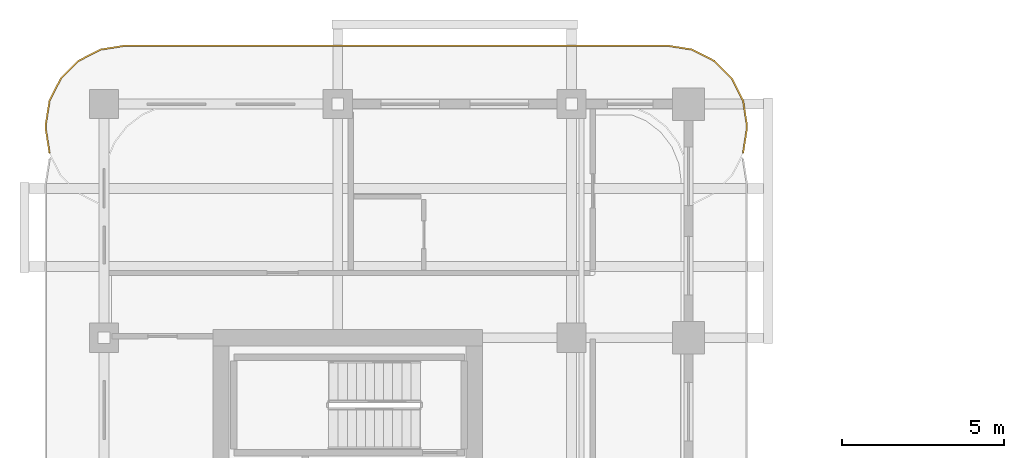
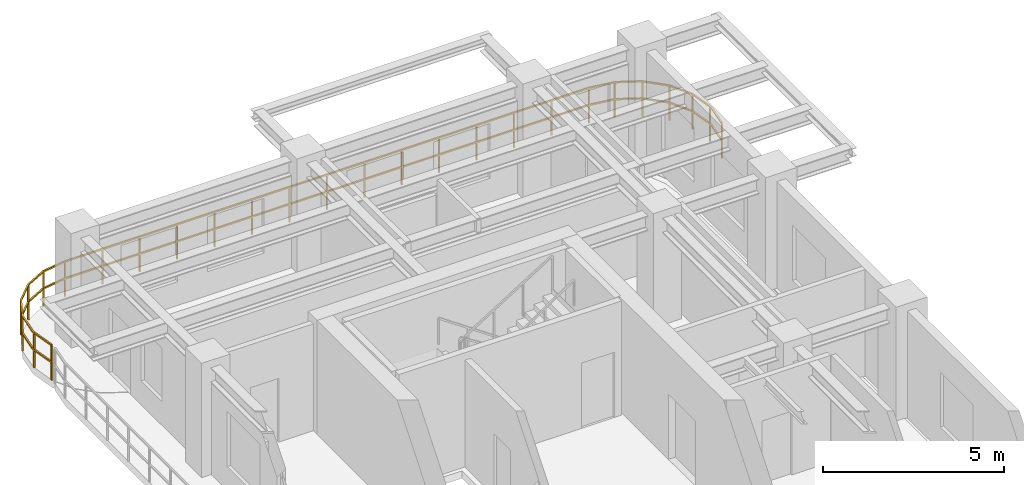
# One storey, part 14 of 14: 1 railing.
"""IFC4 building model written with IfcOpenShell, lengths in metres."""

from ifc_helpers import new_model, si_unit, derived_unit, direction, frame, origin, origin_2d, place, context, subcontext, project, spatial, rectangle, extrude, material, type_object, element, save


model = new_model("IFC4")

# Units and contexts
model_context = context("Model", 3, precision=1e-05, world=origin(), true_north=direction((0.0, 1.0)))
body_context = subcontext(model_context, "Body", "Model", "MODEL_VIEW")
ifc_project = project(units=[si_unit("LENGTHUNIT", "METRE"), si_unit("AREAUNIT", "SQUARE_METRE"), si_unit("VOLUMEUNIT", "CUBIC_METRE"), si_unit("PLANEANGLEUNIT", "RADIAN"), si_unit("MASSUNIT", "GRAM", prefix="KILO"), si_unit("THERMODYNAMICTEMPERATUREUNIT", "KELVIN"), si_unit("POWERUNIT", "WATT"), derived_unit("THERMALTRANSMITTANCEUNIT", [(si_unit("POWERUNIT", "WATT"), 1), (si_unit("AREAUNIT", "SQUARE_METRE"), -1), (si_unit("THERMODYNAMICTEMPERATUREUNIT", "KELVIN"), -1)])], contexts=[model_context])

# Site, building, storey
site_placement = place(None, origin())
site = spatial("IfcSite", under=ifc_project, at=site_placement, CompositionType="ELEMENT")
building_placement = place(site_placement, origin())
building = spatial("IfcBuilding", under=site, at=building_placement, Name="Zahravan Archway Hotel and Residences", CompositionType="ELEMENT")
storey_placement = place(building_placement, frame((0.0, 0.0, 205.75)))
storey = spatial("IfcBuildingStorey", under=building, at=storey_placement, Name="L51", CompositionType="ELEMENT", Elevation=205.75)

# Railing
ifc_material = material(Name="Bronze & Laminated Glass Balustrade", Category="glass")
railing_type = type_object("IfcRailingType", Name="RL-BAL-1200", PredefinedType="BALUSTRADE", material=ifc_material)
railing_placement = place(storey_placement, frame((-1.68017578125, 45.29296875, 0.0)))
element("IfcRailing", 1, at=railing_placement, inside=storey, type_object=railing_type, Name="L51 Balustrade RL-SLB-BAL-L51-NB-1", PredefinedType="BALUSTRADE", context=body_context, shape_type="SweptSolid", body=[
    extrude(rectangle(XDim=0.048095703125, YDim=0.048095703125, at=origin_2d()), frame((0.0, 0.0, 1.17578125), z_axis=(-0.156387811283, 0.987695728695, 0.0), x_axis=(-0.987695728695, -0.156387811283, 0.0)), (0.0, 0.0, 1.0), 0.7666015625),
    extrude(rectangle(XDim=0.048095703125, YDim=0.048095703125, at=origin_2d()), frame((0.0, 0.0, 0.60009765625), z_axis=(-0.156387811283, 0.987695728695, 0.0), x_axis=(-0.987695728695, -0.156387811283, 0.0)), (0.0, 0.0, 1.0), 0.7666015625),
    extrude(rectangle(XDim=0.048095703125, YDim=0.048095703125, at=origin_2d()), frame((-0.119873046875, 0.757080078125, 1.17578125), z_axis=(0.0, 1.0, 0.0), x_axis=(-1.0, 0.0, 0.0)), (0.0, 0.0, 1.0), 0.099853515625),
    extrude(rectangle(XDim=0.048095703125, YDim=0.048095703125, at=origin_2d()), frame((-0.119873046875, 0.757080078125, 0.60009765625), z_axis=(0.0, 1.0, 0.0), x_axis=(-1.0, 0.0, 0.0)), (0.0, 0.0, 1.0), 0.099853515625),
    extrude(rectangle(XDim=0.048095703125, YDim=0.048095703125, at=origin_2d()), frame((-0.119873046875, 0.85693359375, 1.17578125), z_axis=(0.156387811283, 0.987695728695, 0.0), x_axis=(-0.987695728695, 0.156387811283, 0.0)), (0.0, 0.0, 1.0), 0.7666015625),
    extrude(rectangle(XDim=0.048095703125, YDim=0.048095703125, at=origin_2d()), frame((-0.119873046875, 0.85693359375, 0.60009765625), z_axis=(0.156387811283, 0.987695728695, 0.0), x_axis=(-0.987695728695, 0.156387811283, 0.0)), (0.0, 0.0, 1.0), 0.7666015625),
    extrude(rectangle(XDim=0.048095703125, YDim=0.048095703125, at=origin_2d()), frame((0.0, 1.614013671875, 1.17578125), z_axis=(0.454078418624, 0.890961721815, 0.0), x_axis=(-0.890961721815, 0.454078418624, 0.0)), (0.0, 0.0, 1.0), 0.7666015625),
    extrude(rectangle(XDim=0.048095703125, YDim=0.048095703125, at=origin_2d()), frame((0.0, 1.614013671875, 0.60009765625), z_axis=(0.454078418624, 0.890961721815, 0.0), x_axis=(-0.890961721815, 0.454078418624, 0.0)), (0.0, 0.0, 1.0), 0.7666015625),
    extrude(rectangle(XDim=0.048095703125, YDim=0.048095703125, at=origin_2d()), frame((0.34814453125, 2.297119140625, 1.17578125), z_axis=(0.707106781187, 0.707106781187, 0.0), x_axis=(-0.707106781187, 0.707106781187, 0.0)), (0.0, 0.0, 1.0), 0.7666015625),
    extrude(rectangle(XDim=0.048095703125, YDim=0.048095703125, at=origin_2d()), frame((0.34814453125, 2.297119140625, 0.60009765625), z_axis=(0.707106781187, 0.707106781187, 0.0), x_axis=(-0.707106781187, 0.707106781187, 0.0)), (0.0, 0.0, 1.0), 0.7666015625),
    extrude(rectangle(XDim=0.048095703125, YDim=0.048095703125, at=origin_2d()), frame((0.89013671875, 2.839111328125, 1.17578125), z_axis=(0.891024909783, 0.453954414172, 0.0), x_axis=(-0.453954414172, 0.891024909783, 0.0)), (0.0, 0.0, 1.0), 0.766357421875),
    extrude(rectangle(XDim=0.048095703125, YDim=0.048095703125, at=origin_2d()), frame((0.89013671875, 2.839111328125, 0.60009765625), z_axis=(0.891024909783, 0.453954414172, 0.0), x_axis=(-0.453954414172, 0.891024909783, 0.0)), (0.0, 0.0, 1.0), 0.766357421875),
    extrude(rectangle(XDim=0.048095703125, YDim=0.048095703125, at=origin_2d()), frame((1.572998046875, 3.18701171875, 1.17578125), z_axis=(0.987646484274, 0.156698507018, 0.0), x_axis=(-0.156698507018, 0.987646484274, 0.0)), (0.0, 0.0, 1.0), 0.7666015625),
    extrude(rectangle(XDim=0.048095703125, YDim=0.048095703125, at=origin_2d()), frame((1.572998046875, 3.18701171875, 0.60009765625), z_axis=(0.987646484274, 0.156698507018, 0.0), x_axis=(-0.156698507018, 0.987646484274, 0.0)), (0.0, 0.0, 1.0), 0.7666015625),
    extrude(rectangle(XDim=0.048095703125, YDim=0.048095703125, at=origin_2d()), frame((2.330078125, 3.30712890625, 1.17578125), z_axis=(1.0, 0.0, 0.0), x_axis=(0.0, 1.0, 0.0)), (0.0, 0.0, 1.0), 16.7001953125),
    extrude(rectangle(XDim=0.048095703125, YDim=0.048095703125, at=origin_2d()), frame((2.330078125, 3.30712890625, 0.60009765625), z_axis=(1.0, 0.0, 0.0), x_axis=(0.0, 1.0, 0.0)), (0.0, 0.0, 1.0), 16.7001953125),
    extrude(rectangle(XDim=0.048095703125, YDim=0.048095703125, at=origin_2d()), frame((19.0302734375, 3.30712890625, 1.17578125), z_axis=(0.987646484274, -0.156698507018, 0.0), x_axis=(0.156698507018, 0.987646484274, 0.0)), (0.0, 0.0, 1.0), 0.7666015625),
    extrude(rectangle(XDim=0.048095703125, YDim=0.048095703125, at=origin_2d()), frame((19.0302734375, 3.30712890625, 0.60009765625), z_axis=(0.987646484274, -0.156698507018, 0.0), x_axis=(0.156698507018, 0.987646484274, 0.0)), (0.0, 0.0, 1.0), 0.7666015625),
    extrude(rectangle(XDim=0.048095703125, YDim=0.048095703125, at=origin_2d()), frame((19.787353515625, 3.18701171875, 1.17578125), z_axis=(0.891024909783, -0.453954414172, 0.0), x_axis=(0.453954414172, 0.891024909783, 0.0)), (0.0, 0.0, 1.0), 0.766357421875),
    extrude(rectangle(XDim=0.048095703125, YDim=0.048095703125, at=origin_2d()), frame((19.787353515625, 3.18701171875, 0.60009765625), z_axis=(0.891024909783, -0.453954414172, 0.0), x_axis=(0.453954414172, 0.891024909783, 0.0)), (0.0, 0.0, 1.0), 0.766357421875),
    extrude(rectangle(XDim=0.048095703125, YDim=0.048095703125, at=origin_2d()), frame((20.47021484375, 2.839111328125, 1.17578125), z_axis=(0.707106781187, -0.707106781187, 0.0), x_axis=(0.707106781187, 0.707106781187, 0.0)), (0.0, 0.0, 1.0), 0.7666015625),
    extrude(rectangle(XDim=0.048095703125, YDim=0.048095703125, at=origin_2d()), frame((20.47021484375, 2.839111328125, 0.60009765625), z_axis=(0.707106781187, -0.707106781187, 0.0), x_axis=(0.707106781187, 0.707106781187, 0.0)), (0.0, 0.0, 1.0), 0.7666015625),
    extrude(rectangle(XDim=0.048095703125, YDim=0.048095703125, at=origin_2d()), frame((21.01220703125, 2.297119140625, 1.17578125), z_axis=(0.454078418624, -0.890961721815, 0.0), x_axis=(0.890961721815, 0.454078418624, 0.0)), (0.0, 0.0, 1.0), 0.7666015625),
    extrude(rectangle(XDim=0.048095703125, YDim=0.048095703125, at=origin_2d()), frame((21.01220703125, 2.297119140625, 0.60009765625), z_axis=(0.454078418624, -0.890961721815, 0.0), x_axis=(0.890961721815, 0.454078418624, 0.0)), (0.0, 0.0, 1.0), 0.7666015625),
    extrude(rectangle(XDim=0.048095703125, YDim=0.048095703125, at=origin_2d()), frame((21.3603515625, 1.614013671875, 1.17578125), z_axis=(0.156387811283, -0.987695728695, 0.0), x_axis=(0.987695728695, 0.156387811283, 0.0)), (0.0, 0.0, 1.0), 0.7666015625),
    extrude(rectangle(XDim=0.048095703125, YDim=0.048095703125, at=origin_2d()), frame((21.3603515625, 1.614013671875, 0.60009765625), z_axis=(0.156387811283, -0.987695728695, 0.0), x_axis=(0.987695728695, 0.156387811283, 0.0)), (0.0, 0.0, 1.0), 0.7666015625),
    extrude(rectangle(XDim=0.048095703125, YDim=0.048095703125, at=origin_2d()), frame((21.480224609375, 0.85693359375, 1.17578125), z_axis=(0.0, -1.0, 0.0), x_axis=(1.0, 0.0, 0.0)), (0.0, 0.0, 1.0), 0.099853515625),
    extrude(rectangle(XDim=0.048095703125, YDim=0.048095703125, at=origin_2d()), frame((21.480224609375, 0.85693359375, 0.60009765625), z_axis=(0.0, -1.0, 0.0), x_axis=(1.0, 0.0, 0.0)), (0.0, 0.0, 1.0), 0.099853515625),
    extrude(rectangle(XDim=0.048095703125, YDim=0.048095703125, at=origin_2d()), frame((21.480224609375, 0.757080078125, 1.17578125), z_axis=(-0.156387811283, -0.987695728695, 0.0), x_axis=(0.987695728695, -0.156387811283, 0.0)), (0.0, 0.0, 1.0), 0.7666015625),
    extrude(rectangle(XDim=0.048095703125, YDim=0.048095703125, at=origin_2d()), frame((21.480224609375, 0.757080078125, 0.60009765625), z_axis=(-0.156387811283, -0.987695728695, 0.0), x_axis=(0.987695728695, -0.156387811283, 0.0)), (0.0, 0.0, 1.0), 0.7666015625),
    extrude(rectangle(XDim=0.0419921875, YDim=0.0419921875, at=origin_2d()), origin(), (0.0, 0.0, 1.0), 1.15185546875),
    extrude(rectangle(XDim=0.0419921875, YDim=0.0419921875, at=origin_2d()), frame((-0.119873046875, 0.757080078125, 0.0)), (0.0, 0.0, 1.0), 1.15185546875),
    extrude(rectangle(XDim=0.0419921875, YDim=0.0419921875, at=origin_2d()), frame((0.0, 1.614013671875, 0.0)), (0.0, 0.0, 1.0), 1.15185546875),
    extrude(rectangle(XDim=0.0419921875, YDim=0.0419921875, at=origin_2d()), frame((0.34814453125, 2.297119140625, 0.0)), (0.0, 0.0, 1.0), 1.15185546875),
    extrude(rectangle(XDim=0.0419921875, YDim=0.0419921875, at=origin_2d()), frame((0.89013671875, 2.839111328125, 0.0)), (0.0, 0.0, 1.0), 1.15185546875),
    extrude(rectangle(XDim=0.0419921875, YDim=0.0419921875, at=origin_2d()), frame((1.572998046875, 3.18701171875, 0.0)), (0.0, 0.0, 1.0), 1.15185546875),
    extrude(rectangle(XDim=0.0419921875, YDim=0.0419921875, at=origin_2d()), frame((2.330078125, 3.30712890625, 0.0)), (0.0, 0.0, 1.0), 1.15185546875),
    extrude(rectangle(XDim=0.0419921875, YDim=0.0419921875, at=origin_2d()), frame((3.52294921875, 3.30712890625, 0.0)), (0.0, 0.0, 1.0), 1.15185546875),
    extrude(rectangle(XDim=0.0419921875, YDim=0.0419921875, at=origin_2d()), frame((4.7158203125, 3.30712890625, 0.0)), (0.0, 0.0, 1.0), 1.15185546875),
    extrude(rectangle(XDim=0.0419921875, YDim=0.0419921875, at=origin_2d()), frame((5.90869140625, 3.30712890625, 0.0)), (0.0, 0.0, 1.0), 1.15185546875),
    extrude(rectangle(XDim=0.0419921875, YDim=0.0419921875, at=origin_2d()), frame((7.1015625, 3.30712890625, 0.0)), (0.0, 0.0, 1.0), 1.15185546875),
    extrude(rectangle(XDim=0.0419921875, YDim=0.0419921875, at=origin_2d()), frame((8.29443359375, 3.30712890625, 0.0)), (0.0, 0.0, 1.0), 1.15185546875),
    extrude(rectangle(XDim=0.0419921875, YDim=0.0419921875, at=origin_2d()), frame((9.4873046875, 3.30712890625, 0.0)), (0.0, 0.0, 1.0), 1.15185546875),
    extrude(rectangle(XDim=0.0419921875, YDim=0.0419921875, at=origin_2d()), frame((10.68017578125, 3.30712890625, 0.0)), (0.0, 0.0, 1.0), 1.15185546875),
    extrude(rectangle(XDim=0.0419921875, YDim=0.0419921875, at=origin_2d()), frame((11.873046875, 3.30712890625, 0.0)), (0.0, 0.0, 1.0), 1.15185546875),
    extrude(rectangle(XDim=0.0419921875, YDim=0.0419921875, at=origin_2d()), frame((13.06591796875, 3.30712890625, 0.0)), (0.0, 0.0, 1.0), 1.15185546875),
    extrude(rectangle(XDim=0.0419921875, YDim=0.0419921875, at=origin_2d()), frame((14.2587890625, 3.30712890625, 0.0)), (0.0, 0.0, 1.0), 1.15185546875),
    extrude(rectangle(XDim=0.0419921875, YDim=0.0419921875, at=origin_2d()), frame((15.45166015625, 3.30712890625, 0.0)), (0.0, 0.0, 1.0), 1.15185546875),
    extrude(rectangle(XDim=0.0419921875, YDim=0.0419921875, at=origin_2d()), frame((16.64453125, 3.30712890625, 0.0)), (0.0, 0.0, 1.0), 1.15185546875),
    extrude(rectangle(XDim=0.0419921875, YDim=0.0419921875, at=origin_2d()), frame((17.83740234375, 3.30712890625, 0.0)), (0.0, 0.0, 1.0), 1.15185546875),
    extrude(rectangle(XDim=0.0419921875, YDim=0.0419921875, at=origin_2d()), frame((19.0302734375, 3.30712890625, 0.0)), (0.0, 0.0, 1.0), 1.15185546875),
    extrude(rectangle(XDim=0.0419921875, YDim=0.0419921875, at=origin_2d()), frame((19.787353515625, 3.18701171875, 0.0)), (0.0, 0.0, 1.0), 1.15185546875),
    extrude(rectangle(XDim=0.0419921875, YDim=0.0419921875, at=origin_2d()), frame((20.47021484375, 2.839111328125, 0.0)), (0.0, 0.0, 1.0), 1.15185546875),
    extrude(rectangle(XDim=0.0419921875, YDim=0.0419921875, at=origin_2d()), frame((21.01220703125, 2.297119140625, 0.0)), (0.0, 0.0, 1.0), 1.15185546875),
    extrude(rectangle(XDim=0.0419921875, YDim=0.0419921875, at=origin_2d()), frame((21.3603515625, 1.614013671875, 0.0)), (0.0, 0.0, 1.0), 1.15185546875),
    extrude(rectangle(XDim=0.0419921875, YDim=0.0419921875, at=origin_2d()), frame((21.480224609375, 0.85693359375, 0.0)), (0.0, 0.0, 1.0), 1.15185546875),
    extrude(rectangle(XDim=0.0419921875, YDim=0.0419921875, at=origin_2d()), frame((21.3603515625, 0.0, 0.0)), (0.0, 0.0, 1.0), 1.15185546875),
])

save(model, "model.ifc")
